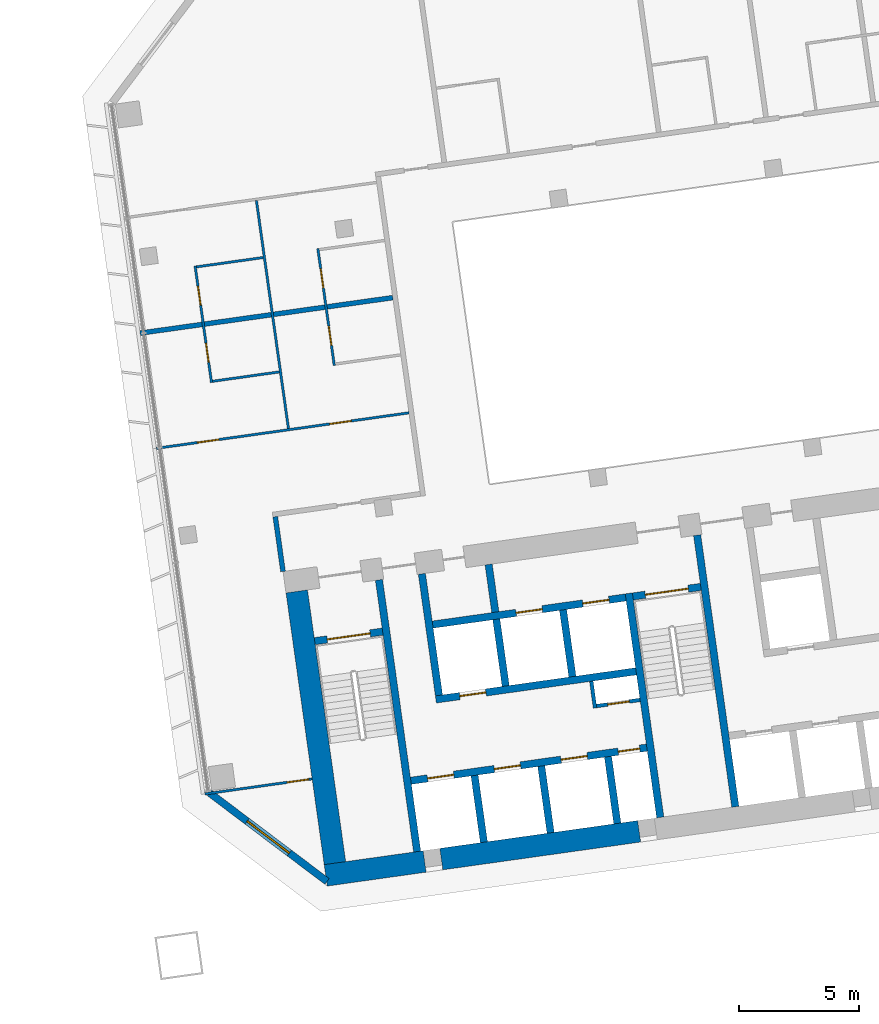
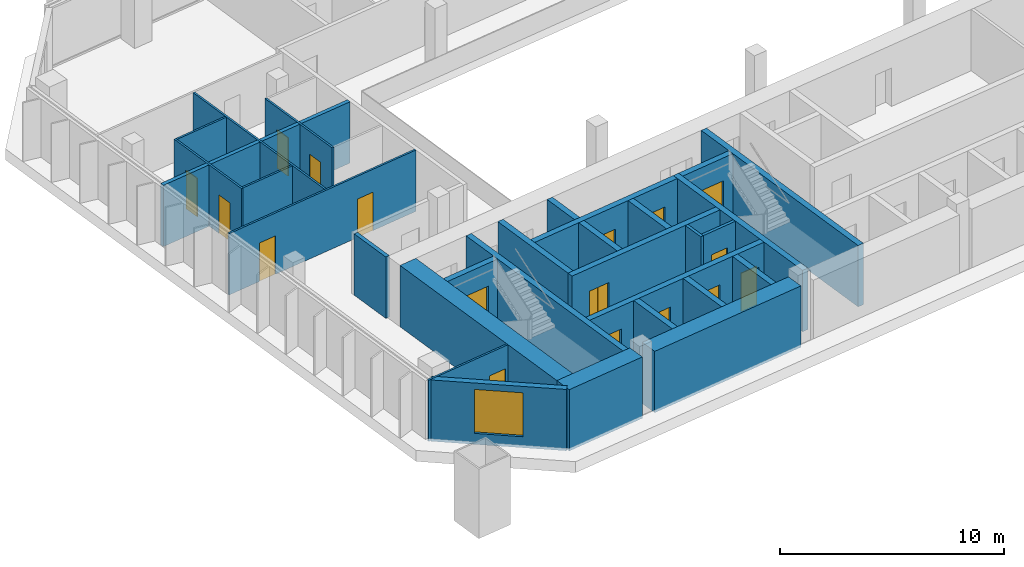
# One storey, part 18 of 24: 30 walls, 17 doors, 1 window, 18 openings.
"""IFC4 building model written with IfcOpenShell, lengths in metres."""

from ifc_helpers import new_model, si_unit, direction, frame, frame_2d, origin, place, context, subcontext, project, spatial, rectangle, extrude, material, layer, layer_set, type_object, element, fill, save


model = new_model("IFC4")

# Units and contexts
model_context = context("Model", 3, precision=1e-05, world=origin(), true_north=direction((0.0, 1.0)))
body_context = subcontext(model_context, "Body", "Model", "MODEL_VIEW")
ifc_project = project(units=[si_unit("LENGTHUNIT", "METRE"), si_unit("AREAUNIT", "SQUARE_METRE"), si_unit("VOLUMEUNIT", "CUBIC_METRE"), si_unit("PLANEANGLEUNIT", "RADIAN"), si_unit("MASSUNIT", "GRAM", prefix="KILO")], contexts=[model_context])

# Site, building, storey
site_placement = place(None, origin())
site = spatial("IfcSite", under=ifc_project, at=site_placement, CompositionType="ELEMENT")
building_placement = place(site_placement, origin())
building = spatial("IfcBuilding", under=site, at=building_placement, Name="Mirante Cascada Hotel Towers", CompositionType="ELEMENT")
storey_placement = place(building_placement, frame((0.0, 0.0, 50.9)))
storey = spatial("IfcBuildingStorey", under=building, at=storey_placement, Name="L09", CompositionType="ELEMENT", Elevation=50.9)

# Walls
ifc_material_1 = material(Name="Fire-rated plasterboard on metal studs")
ifc_layer_1 = layer(ifc_material_1, 0.2)
ifc_layer_set_1 = layer_set([ifc_layer_1], Name="Compartment wall 200 EI 120")
wall_type_1 = type_object("IfcWallType", Name="Compartment wall 200 EI 120", PredefinedType="PARTITIONING", material=ifc_layer_set_1)
wall_1_placement = place(storey_placement, frame((39.8242, 4.2615, 0.0), z_axis=(0.0, 0.0, 1.0), x_axis=(-0.9902686, -0.1391691, 0.0)))
element("IfcWall", 1, at=wall_1_placement, inside=storey, type_object=wall_type_1, Name="Wall 2-L09-11", PredefinedType="PARTITIONING", context=body_context, shape_type="SweptSolid", body=[
    extrude(rectangle(XDim=10.6001, YDim=0.2, at=frame_2d((5.3, 0.0))), origin(), (0.0, 0.0, 1.0), 3.35),
])
wall_2_placement = place(storey_placement, frame((34.9433, -4.8397, 0.0), z_axis=(0.0, 0.0, 1.0), x_axis=(0.1391749, -0.9902678, 0.0)))
element("IfcWall", 2, at=wall_2_placement, inside=storey, type_object=wall_type_1, Name="Wall 2-L09-29", PredefinedType="PARTITIONING", context=body_context, shape_type="SweptSolid", body=[
    extrude(rectangle(XDim=2.3, YDim=0.2, at=frame_2d((1.15, 0.0))), origin(), (0.0, 0.0, 1.0), 3.35),
])
ifc_material_2 = material(Name="Masonry block", Category="masonry")
ifc_layer_2 = layer(ifc_material_2, 0.15)
ifc_layer_set_2 = layer_set([ifc_layer_2], Name="Core room partition 150 block EI 30")
wall_type_2 = type_object("IfcWallType", Name="Core room partition 150 block EI 30", PredefinedType="PARTITIONING", material=ifc_layer_set_2)
wall_3_placement = place(storey_placement, frame((48.2295, -12.793, 0.0), z_axis=(0.0, 0.0, 1.0), x_axis=(-0.1391935, 0.9902652, 0.0)))
element("IfcWall", 3, at=wall_3_placement, inside=storey, type_object=wall_type_2, Name="Core wall partition T2 L09 2", PredefinedType="PARTITIONING", context=body_context, shape_type="SweptSolid", body=[
    extrude(rectangle(XDim=1.1251, YDim=0.15, at=frame_2d((0.5626, 0.0))), origin(), (0.0, 0.0, 1.0), 3.35),
])

# Wall, opening, door
wall_4_placement = place(storey_placement, frame((48.2933, -12.7083, 0.0), z_axis=(0.0, 0.0, 1.0), x_axis=(0.990268, 0.1391734, 0.0)))
wall_4 = element("IfcWall", 4, at=wall_4_placement, inside=storey, type_object=wall_type_2, Name="Core wall partition T2 L09 3", PredefinedType="PARTITIONING", context=body_context, shape_type="SweptSolid", body=[
    extrude(rectangle(XDim=1.8251, YDim=0.15, at=frame_2d((0.9126, 0.0))), origin(), (0.0, 0.0, 1.0), 3.35),
])
opening_1_placement = place(wall_4_placement, frame((0.4625, 0.0, 0.0)))
opening_1 = element("IfcOpeningElement", 5, at=opening_1_placement, cuts=wall_4, Name="Opening D2-09-C23", PredefinedType="OPENING", context=body_context, shape_type="SweptSolid", body=[
    extrude(rectangle(XDim=0.9, YDim=2.1, at=frame_2d((0.45, 1.05))), frame((0.0, 0.075, 0.0), z_axis=(0.0, -1.0, 0.0), x_axis=(1.0, 0.0, 0.0)), (0.0, 0.0, 1.0), 0.15),
])
ifc_material_3 = material(Name="Hollow metal fire door leaf")
door_type_1 = type_object("IfcDoorType", Name="Fire door 900x2100 FD60", OperationType="NOTDEFINED", PredefinedType="DOOR", material=ifc_material_3)
door_1_placement = place(opening_1_placement, frame((0.9, 0.0, 0.0), z_axis=(0.0, 0.0, 1.0), x_axis=(-1.0, 0.0, 0.0)))
door_1 = element("IfcDoor", 6, at=door_1_placement, inside=storey, type_object=door_type_1, Name="Riser door T2 L09 23", OperationType="SINGLE_SWING_RIGHT", OverallHeight=2.1, OverallWidth=0.9, PredefinedType="DOOR", context=body_context, shape_type="SweptSolid", body=[
    extrude(rectangle(XDim=0.9, YDim=2.1, at=frame_2d((0.45, 1.05))), frame((0.0, 0.025, 0.0), z_axis=(0.0, -1.0, 0.0), x_axis=(1.0, 0.0, 0.0)), (0.0, 0.0, 1.0), 0.05),
])
fill(opening_1, door_1)

# Wall
ifc_material_4 = material(Name="Masonry block", Category="masonry")
ifc_layer_3 = layer(ifc_material_4, 0.3)
ifc_layer_set_3 = layer_set([ifc_layer_3], Name="Core wall 300 block EI 120")
wall_type_3 = type_object("IfcWallType", Name="Core wall 300 block EI 120", PredefinedType="PARTITIONING", material=ifc_layer_set_3)
wall_5_placement = place(storey_placement, frame((44.0843, -8.8061, 0.0), z_axis=(0.0, 0.0, 1.0), x_axis=(-0.1391951, 0.990265, 0.0)))
element("IfcWall", 7, at=wall_5_placement, inside=storey, type_object=wall_type_3, Name="Core wall partition T2 L09 1", PredefinedType="PARTITIONING", context=body_context, shape_type="SweptSolid", body=[
    extrude(rectangle(XDim=2.0001, YDim=0.3, at=frame_2d((1.0001, 0.0))), origin(), (0.0, 0.0, 1.0), 3.35),
])

# Wall, opening, door
ifc_material_5 = material(Name="Plasterboard on metal studs")
ifc_layer_4 = layer(ifc_material_5, 0.1)
ifc_layer_set_4 = layer_set([ifc_layer_4], Name="Partition 100")
wall_type_4 = type_object("IfcWallType", Name="Partition 100", PredefinedType="PARTITIONING", material=ifc_layer_set_4)
wall_6_placement = place(storey_placement, frame((36.4742, -15.7326, 0.0), z_axis=(0.0, 0.0, 1.0), x_axis=(-0.9902674, -0.1391779, 0.0)))
wall_6 = element("IfcWall", 8, at=wall_6_placement, inside=storey, type_object=wall_type_4, Name="Wall 2-L09-01", PredefinedType="PARTITIONING", context=body_context, shape_type="SweptSolid", body=[
    extrude(rectangle(XDim=4.5, YDim=0.1, at=frame_2d((2.25, 0.0))), origin(), (0.0, 0.0, 1.0), 3.35),
])
opening_2_placement = place(wall_6_placement, frame((0.15, 0.0, 0.0)))
opening_2 = element("IfcOpeningElement", 9, at=opening_2_placement, cuts=wall_6, Name="Opening D2-L09-01", PredefinedType="OPENING", context=body_context, shape_type="SweptSolid", body=[
    extrude(rectangle(XDim=0.9, YDim=2.1, at=frame_2d((0.45, 1.05))), frame((0.0, 0.05, 0.0), z_axis=(0.0, -1.0, 0.0), x_axis=(1.0, 0.0, 0.0)), (0.0, 0.0, 1.0), 0.1),
])
ifc_material_6 = material(Name="Timber door leaf", Category="wood")
door_type_2 = type_object("IfcDoorType", Name="Room door DG3 900x2100", OperationType="SINGLE_SWING_LEFT", PredefinedType="DOOR", material=ifc_material_6)
door_2_placement = place(opening_2_placement, frame((0.9, 0.0, 0.0), z_axis=(0.0, 0.0, 1.0), x_axis=(-1.0, 0.0, 0.0)))
door_2 = element("IfcDoor", 10, at=door_2_placement, inside=storey, type_object=door_type_2, Name="Door D2-L09-01", OperationType="SINGLE_SWING_RIGHT", OverallHeight=2.1, OverallWidth=0.9, PredefinedType="DOOR", context=body_context, shape_type="SweptSolid", body=[
    extrude(rectangle(XDim=0.9, YDim=2.1, at=frame_2d((0.45, 1.05))), frame((0.0, 0.025, 0.0), z_axis=(0.0, -1.0, 0.0), x_axis=(1.0, 0.0, 0.0)), (0.0, 0.0, 1.0), 0.05),
])
fill(opening_2, door_2)

# Wall, openings, doors
wall_7_placement = place(storey_placement, frame((40.4968, -0.5248, 0.0), z_axis=(0.0, 0.0, 1.0), x_axis=(-0.9902684, -0.1391704, 0.0)))
wall_7 = element("IfcWall", 11, at=wall_7_placement, inside=storey, type_object=wall_type_4, Name="Wall 2-L09-07", PredefinedType="PARTITIONING", context=body_context, shape_type="SweptSolid", body=[
    extrude(rectangle(XDim=10.6, YDim=0.1, at=frame_2d((5.3, 0.0))), origin(), (0.0, 0.0, 1.0), 3.35),
])
opening_3_placement = place(wall_7_placement, frame((7.975, 0.0, 0.0)))
opening_3 = element("IfcOpeningElement", 12, at=opening_3_placement, cuts=wall_7, Name="Opening D2-L09-06", PredefinedType="OPENING", context=body_context, shape_type="SweptSolid", body=[
    extrude(rectangle(XDim=0.9, YDim=2.1, at=frame_2d((0.45, 1.05))), frame((0.0, 0.05, 0.0), z_axis=(0.0, -1.0, 0.0), x_axis=(1.0, 0.0, 0.0)), (0.0, 0.0, 1.0), 0.1),
])
opening_4_placement = place(wall_7_placement, frame((2.425, 0.0, 0.0)))
opening_4 = element("IfcOpeningElement", 13, at=opening_4_placement, cuts=wall_7, Name="Opening D2-L09-07", PredefinedType="OPENING", context=body_context, shape_type="SweptSolid", body=[
    extrude(rectangle(XDim=0.9, YDim=2.1, at=frame_2d((0.45, 1.05))), frame((0.0, 0.05, 0.0), z_axis=(0.0, -1.0, 0.0), x_axis=(1.0, 0.0, 0.0)), (0.0, 0.0, 1.0), 0.1),
])
door_3_placement = place(opening_3_placement, origin())
door_3 = element("IfcDoor", 14, at=door_3_placement, inside=storey, type_object=door_type_2, Name="Door D2-L09-06", OperationType="SINGLE_SWING_LEFT", OverallHeight=2.1, OverallWidth=0.9, PredefinedType="DOOR", context=body_context, shape_type="SweptSolid", body=[
    extrude(rectangle(XDim=0.9, YDim=2.1, at=frame_2d((0.45, 1.05))), frame((0.0, 0.025, 0.0), z_axis=(0.0, -1.0, 0.0), x_axis=(1.0, 0.0, 0.0)), (0.0, 0.0, 1.0), 0.05),
])
fill(opening_3, door_3)
door_4_placement = place(opening_4_placement, origin())
door_4 = element("IfcDoor", 15, at=door_4_placement, inside=storey, type_object=door_type_2, Name="Door D2-L09-07", OperationType="SINGLE_SWING_LEFT", OverallHeight=2.1, OverallWidth=0.9, PredefinedType="DOOR", context=body_context, shape_type="SweptSolid", body=[
    extrude(rectangle(XDim=0.9, YDim=2.1, at=frame_2d((0.45, 1.05))), frame((0.0, 0.025, 0.0), z_axis=(0.0, -1.0, 0.0), x_axis=(1.0, 0.0, 0.0)), (0.0, 0.0, 1.0), 0.05),
])
fill(opening_4, door_4)

# Walls
wall_8_placement = place(storey_placement, frame((35.1078, 1.1751, 0.0), z_axis=(0.0, 0.0, 1.0), x_axis=(-0.990267, -0.139181, 0.0)))
element("IfcWall", 16, at=wall_8_placement, inside=storey, type_object=wall_type_4, Name="Wall 2-L09-09", PredefinedType="PARTITIONING", context=body_context, shape_type="SweptSolid", body=[
    extrude(rectangle(XDim=2.8, YDim=0.1, at=frame_2d((1.4, 0.0))), origin(), (0.0, 0.0, 1.0), 3.35),
])
wall_9_placement = place(storey_placement, frame((34.4398, 5.9284, 0.0), z_axis=(0.0, 0.0, 1.0), x_axis=(-0.9902677, -0.139176, 0.0)))
element("IfcWall", 17, at=wall_9_placement, inside=storey, type_object=wall_type_4, Name="Wall 2-L09-13", PredefinedType="PARTITIONING", context=body_context, shape_type="SweptSolid", body=[
    extrude(rectangle(XDim=2.8001, YDim=0.1, at=frame_2d((1.4, 0.0))), origin(), (0.0, 0.0, 1.0), 3.35),
])

# Wall, openings, doors
wall_10_placement = place(storey_placement, frame((32.2925, 0.7289, 0.0), z_axis=(0.0, 0.0, 1.0), x_axis=(-0.1391638, 0.9902694, 0.0)))
wall_10 = element("IfcWall", 18, at=wall_10_placement, inside=storey, type_object=wall_type_4, Name="Wall 2-L09-28", PredefinedType="PARTITIONING", context=body_context, shape_type="SweptSolid", body=[
    extrude(rectangle(XDim=4.9, YDim=0.1, at=frame_2d((2.45, 0.0))), origin(), (0.0, 0.0, 1.0), 3.35),
])
opening_5_placement = place(wall_10_placement, frame((0.85, 0.0, 0.0)))
opening_5 = element("IfcOpeningElement", 19, at=opening_5_placement, cuts=wall_10, Name="Opening D2-L09-30", PredefinedType="OPENING", context=body_context, shape_type="SweptSolid", body=[
    extrude(rectangle(XDim=0.8, YDim=2.1, at=frame_2d((0.4, 1.05))), frame((0.0, 0.05, 0.0), z_axis=(0.0, -1.0, 0.0), x_axis=(1.0, 0.0, 0.0)), (0.0, 0.0, 1.0), 0.1),
])
opening_6_placement = place(wall_10_placement, frame((3.25, 0.0, 0.0)))
opening_6 = element("IfcOpeningElement", 20, at=opening_6_placement, cuts=wall_10, Name="Opening D2-L09-31", PredefinedType="OPENING", context=body_context, shape_type="SweptSolid", body=[
    extrude(rectangle(XDim=0.8, YDim=2.1, at=frame_2d((0.4, 1.05))), frame((0.0, 0.05, 0.0), z_axis=(0.0, -1.0, 0.0), x_axis=(1.0, 0.0, 0.0)), (0.0, 0.0, 1.0), 0.1),
])
ifc_material_7 = material(Name="Timber door leaf", Category="wood")
door_type_3 = type_object("IfcDoorType", Name="Bathroom door DG4 800x2100", OperationType="SINGLE_SWING_LEFT", PredefinedType="DOOR", material=ifc_material_7)
door_5_placement = place(opening_5_placement, frame((0.8, 0.0, 0.0), z_axis=(0.0, 0.0, 1.0), x_axis=(-1.0, 0.0, 0.0)))
door_5 = element("IfcDoor", 21, at=door_5_placement, inside=storey, type_object=door_type_3, Name="Door D2-L09-30", OperationType="SINGLE_SWING_RIGHT", OverallHeight=2.1, OverallWidth=0.8, PredefinedType="DOOR", context=body_context, shape_type="SweptSolid", body=[
    extrude(rectangle(XDim=0.8, YDim=2.1, at=frame_2d((0.4, 1.05))), frame((0.0, 0.025, 0.0), z_axis=(0.0, -1.0, 0.0), x_axis=(1.0, 0.0, 0.0)), (0.0, 0.0, 1.0), 0.05),
])
fill(opening_5, door_5)
door_6_placement = place(opening_6_placement, frame((0.8, 0.0, 0.0), z_axis=(0.0, 0.0, 1.0), x_axis=(-1.0, 0.0, 0.0)))
door_6 = element("IfcDoor", 22, at=door_6_placement, inside=storey, type_object=door_type_3, Name="Door D2-L09-31", OperationType="SINGLE_SWING_RIGHT", OverallHeight=2.1, OverallWidth=0.8, PredefinedType="DOOR", context=body_context, shape_type="SweptSolid", body=[
    extrude(rectangle(XDim=0.8, YDim=2.1, at=frame_2d((0.4, 1.05))), frame((0.0, 0.025, 0.0), z_axis=(0.0, -1.0, 0.0), x_axis=(1.0, 0.0, 0.0)), (0.0, 0.0, 1.0), 0.05),
])
fill(opening_6, door_6)

# Wall
wall_11_placement = place(storey_placement, frame((35.489, -1.1781, 0.0), z_axis=(0.0, 0.0, 1.0), x_axis=(-0.1391703, 0.9902685, 0.0)))
element("IfcWall", 23, at=wall_11_placement, inside=storey, type_object=wall_type_4, Name="Wall 2-L09-30", PredefinedType="PARTITIONING", context=body_context, shape_type="SweptSolid", body=[
    extrude(rectangle(XDim=9.5667, YDim=0.1, at=frame_2d((4.7834, 0.0))), origin(), (0.0, 0.0, 1.0), 3.35),
])

# Wall, openings, doors
wall_12_placement = place(storey_placement, frame((36.7105, 6.298, 0.0), z_axis=(0.0, 0.0, 1.0), x_axis=(0.1391638, -0.9902694, 0.0)))
wall_12 = element("IfcWall", 24, at=wall_12_placement, inside=storey, type_object=wall_type_4, Name="Wall 2-L09-31", PredefinedType="PARTITIONING", context=body_context, shape_type="SweptSolid", body=[
    extrude(rectangle(XDim=4.9, YDim=0.1, at=frame_2d((2.45, 0.0))), origin(), (0.0, 0.0, 1.0), 3.35),
])
opening_7_placement = place(wall_12_placement, frame((3.25, 0.0, 0.0)))
opening_7 = element("IfcOpeningElement", 25, at=opening_7_placement, cuts=wall_12, Name="Opening D2-L09-32", PredefinedType="OPENING", context=body_context, shape_type="SweptSolid", body=[
    extrude(rectangle(XDim=0.8, YDim=2.1, at=frame_2d((0.4, 1.05))), frame((0.0, 0.05, 0.0), z_axis=(0.0, -1.0, 0.0), x_axis=(1.0, 0.0, 0.0)), (0.0, 0.0, 1.0), 0.1),
])
opening_8_placement = place(wall_12_placement, frame((0.85, 0.0, 0.0)))
opening_8 = element("IfcOpeningElement", 26, at=opening_8_placement, cuts=wall_12, Name="Opening D2-L09-33", PredefinedType="OPENING", context=body_context, shape_type="SweptSolid", body=[
    extrude(rectangle(XDim=0.8, YDim=2.1, at=frame_2d((0.4, 1.05))), frame((0.0, 0.05, 0.0), z_axis=(0.0, -1.0, 0.0), x_axis=(1.0, 0.0, 0.0)), (0.0, 0.0, 1.0), 0.1),
])
door_7_placement = place(opening_7_placement, origin())
door_7 = element("IfcDoor", 27, at=door_7_placement, inside=storey, type_object=door_type_3, Name="Door D2-L09-32", OperationType="SINGLE_SWING_LEFT", OverallHeight=2.1, OverallWidth=0.8, PredefinedType="DOOR", context=body_context, shape_type="SweptSolid", body=[
    extrude(rectangle(XDim=0.8, YDim=2.1, at=frame_2d((0.4, 1.05))), frame((0.0, 0.025, 0.0), z_axis=(0.0, -1.0, 0.0), x_axis=(1.0, 0.0, 0.0)), (0.0, 0.0, 1.0), 0.05),
])
fill(opening_7, door_7)
door_8_placement = place(opening_8_placement, origin())
door_8 = element("IfcDoor", 28, at=door_8_placement, inside=storey, type_object=door_type_3, Name="Door D2-L09-33", OperationType="SINGLE_SWING_LEFT", OverallHeight=2.1, OverallWidth=0.8, PredefinedType="DOOR", context=body_context, shape_type="SweptSolid", body=[
    extrude(rectangle(XDim=0.8, YDim=2.1, at=frame_2d((0.4, 1.05))), frame((0.0, 0.025, 0.0), z_axis=(0.0, -1.0, 0.0), x_axis=(1.0, 0.0, 0.0)), (0.0, 0.0, 1.0), 0.05),
])
fill(opening_8, door_8)

# Wall, opening, window
ifc_material_8 = material(Name="Precast concrete C40/50", Category="concrete")
ifc_layer_5 = layer(ifc_material_8, 0.3)
ifc_layer_set_5 = layer_set([ifc_layer_5], Name="Precast concrete C40/50 cladding wall 300")
wall_type_5 = type_object("IfcWallType", Name="Precast concrete C40/50 cladding wall 300", PredefinedType="STANDARD", material=ifc_layer_set_5)
wall_13_placement = place(storey_placement, frame((32.2074, -16.3138, 0.0), z_axis=(0.0, 0.0, 1.0), x_axis=(0.7986362, -0.6018141, 0.0)))
wall_13 = element("IfcWall", 29, at=wall_13_placement, inside=storey, type_object=wall_type_5, Name="Corner cladding wall T2 L09 inner rear", PredefinedType="STANDARD", context=body_context, shape_type="SweptSolid", body=[
    extrude(rectangle(XDim=6.1157, YDim=0.3, at=frame_2d((3.0578, 0.0))), origin(), (0.0, 0.0, 1.0), 3.35),
])
opening_9_placement = place(wall_13_placement, frame((1.9578, 0.0, 0.6)))
opening_9 = element("IfcOpeningElement", 30, at=opening_9_placement, cuts=wall_13, Name="Opening W2-09-05", PredefinedType="OPENING", context=body_context, shape_type="SweptSolid", body=[
    extrude(rectangle(XDim=2.2, YDim=2.4, at=frame_2d((1.1, 1.2))), frame((0.0, 0.15, 0.0), z_axis=(0.0, -1.0, 0.0), x_axis=(1.0, 0.0, 0.0)), (0.0, 0.0, 1.0), 0.3),
])
ifc_material_9 = material(Name="Aluminium frame with clear double glazing", Category="aluminium")
window_type = type_object("IfcWindowType", Name="Corner suite window 2200x2400", PartitioningType="DOUBLE_PANEL_VERTICAL", PredefinedType="WINDOW", material=ifc_material_9)
window_placement = place(opening_9_placement, origin())
window = element("IfcWindow", 31, at=window_placement, inside=storey, type_object=window_type, Name="Window W2-09-05", OverallHeight=2.4, OverallWidth=2.2, PartitioningType="SINGLE_PANEL", PredefinedType="WINDOW", context=body_context, shape_type="SweptSolid", body=[
    extrude(rectangle(XDim=2.2, YDim=2.4, at=frame_2d((1.1, 1.2))), frame((0.0, 0.03, 0.0), z_axis=(0.0, -1.0, 0.0), x_axis=(1.0, 0.0, 0.0)), (0.0, 0.0, 1.0), 0.06),
])
fill(opening_9, window)

# Walls
ifc_material_10 = material(Name="Concrete C50/60", Category="concrete")
ifc_layer_6 = layer(ifc_material_10, 0.3)
ifc_layer_set_6 = layer_set([ifc_layer_6], Name="RC core wall 300 C50/60")
wall_type_6 = type_object("IfcWallType", Name="RC core wall 300 C50/60", PredefinedType="SHEAR", material=ifc_layer_set_6)
wall_14_placement = place(storey_placement, frame((40.8373, -18.7548, 0.0), z_axis=(0.0, 0.0, 1.0), x_axis=(-0.1391749, 0.9902678, 0.0)))
element("IfcWall", 32, at=wall_14_placement, inside=storey, type_object=wall_type_6, Name="Core wall T2:L09:5", PredefinedType="SHEAR", context=body_context, shape_type="SweptSolid", body=[
    extrude(rectangle(XDim=11.4, YDim=0.3, at=frame_2d((5.7, 0.0))), origin(), (0.0, 0.0, 1.0), 3.35),
])
wall_15_placement = place(storey_placement, frame((50.938, -17.3352, 0.0), z_axis=(0.0, 0.0, 1.0), x_axis=(-0.1391706, 0.9902684, 0.0)))
element("IfcWall", 33, at=wall_15_placement, inside=storey, type_object=wall_type_6, Name="Core wall T2:L09:6", PredefinedType="SHEAR", context=body_context, shape_type="SweptSolid", body=[
    extrude(rectangle(XDim=9.4, YDim=0.3, at=frame_2d((4.7, 0.0))), origin(), (0.0, 0.0, 1.0), 3.35),
])
wall_16_placement = place(storey_placement, frame((54.0574, -16.8968, 0.0), z_axis=(0.0, 0.0, 1.0), x_axis=(-0.1391761, 0.9902677, 0.0)))
element("IfcWall", 34, at=wall_16_placement, inside=storey, type_object=wall_type_6, Name="Core wall T2:L09:7", PredefinedType="SHEAR", context=body_context, shape_type="SweptSolid", body=[
    extrude(rectangle(XDim=11.3999, YDim=0.3, at=frame_2d((5.7, 0.0))), origin(), (0.0, 0.0, 1.0), 3.35),
])

# Wall, opening, door
wall_17_placement = place(storey_placement, frame((36.5791, -10.0123, 0.0), z_axis=(0.0, 0.0, 1.0), x_axis=(0.9902704, 0.1391564, 0.0)))
wall_17 = element("IfcWall", 35, at=wall_17_placement, inside=storey, type_object=wall_type_6, Name="Core wall T2:L09:9", PredefinedType="SHEAR", context=body_context, shape_type="SweptSolid", body=[
    extrude(rectangle(XDim=2.85, YDim=0.3, at=frame_2d((1.425, 0.0))), origin(), (0.0, 0.0, 1.0), 3.35),
])
opening_10_placement = place(wall_17_placement, frame((0.525, 0.0, 0.0)))
opening_10 = element("IfcOpeningElement", 36, at=opening_10_placement, cuts=wall_17, Name="Opening D2-09-C13", PredefinedType="OPENING", context=body_context, shape_type="SweptSolid", body=[
    extrude(rectangle(XDim=1.8, YDim=2.1, at=frame_2d((0.9, 1.05))), frame((0.0, 0.15, 0.0), z_axis=(0.0, -1.0, 0.0), x_axis=(1.0, 0.0, 0.0)), (0.0, 0.0, 1.0), 0.3),
])
ifc_material_11 = material(Name="Hollow metal fire door leaf")
door_type_4 = type_object("IfcDoorType", Name="Double fire door 1800x2100 FD60", OperationType="DOUBLE_DOOR_SINGLE_SWING", PredefinedType="DOOR", material=ifc_material_11)
door_9_placement = place(opening_10_placement, frame((1.8, 0.0, 0.0), z_axis=(0.0, 0.0, 1.0), x_axis=(-1.0, 0.0, 0.0)))
door_9 = element("IfcDoor", 37, at=door_9_placement, inside=storey, type_object=door_type_4, Name="Stair door T2 L09 13", OperationType="DOUBLE_DOOR_SINGLE_SWING", OverallHeight=2.1, OverallWidth=1.8, PredefinedType="DOOR", context=body_context, shape_type="SweptSolid", body=[
    extrude(rectangle(XDim=0.895, YDim=2.1, at=frame_2d((0.4475, 1.05))), frame((0.0, 0.025, 0.0), z_axis=(0.0, -1.0, 0.0), x_axis=(1.0, 0.0, 0.0)), (0.0, 0.0, 1.0), 0.05),
    extrude(rectangle(XDim=0.895, YDim=2.1, at=frame_2d((1.3525, 1.05))), frame((0.0, 0.025, 0.0), z_axis=(0.0, -1.0, 0.0), x_axis=(1.0, 0.0, 0.0)), (0.0, 0.0, 1.0), 0.05),
])
fill(opening_10, door_9)

wall_18_placement = place(storey_placement, frame((49.7992, -8.1544, 0.0), z_axis=(0.0, 0.0, 1.0), x_axis=(0.9902656, 0.1391909, 0.0)))
wall_18 = element("IfcWall", 38, at=wall_18_placement, inside=storey, type_object=wall_type_6, Name="Core wall T2:L09:10", PredefinedType="SHEAR", context=body_context, shape_type="SweptSolid", body=[
    extrude(rectangle(XDim=2.85, YDim=0.3, at=frame_2d((1.425, 0.0))), origin(), (0.0, 0.0, 1.0), 3.35),
])
opening_11_placement = place(wall_18_placement, frame((0.525, 0.0, 0.0)))
opening_11 = element("IfcOpeningElement", 39, at=opening_11_placement, cuts=wall_18, Name="Opening D2-09-C15", PredefinedType="OPENING", context=body_context, shape_type="SweptSolid", body=[
    extrude(rectangle(XDim=1.8, YDim=2.1, at=frame_2d((0.9, 1.05))), frame((0.0, 0.15, 0.0), z_axis=(0.0, -1.0, 0.0), x_axis=(1.0, 0.0, 0.0)), (0.0, 0.0, 1.0), 0.3),
])
door_10_placement = place(opening_11_placement, frame((1.8, 0.0, 0.0), z_axis=(0.0, 0.0, 1.0), x_axis=(-1.0, 0.0, 0.0)))
door_10 = element("IfcDoor", 40, at=door_10_placement, inside=storey, type_object=door_type_4, Name="Stair door T2 L09 15", OperationType="DOUBLE_DOOR_SINGLE_SWING", OverallHeight=2.1, OverallWidth=1.8, PredefinedType="DOOR", context=body_context, shape_type="SweptSolid", body=[
    extrude(rectangle(XDim=0.895, YDim=2.1, at=frame_2d((0.4475, 1.05))), frame((0.0, 0.025, 0.0), z_axis=(0.0, -1.0, 0.0), x_axis=(1.0, 0.0, 0.0)), (0.0, 0.0, 1.0), 0.05),
    extrude(rectangle(XDim=0.895, YDim=2.1, at=frame_2d((1.3525, 1.05))), frame((0.0, 0.025, 0.0), z_axis=(0.0, -1.0, 0.0), x_axis=(1.0, 0.0, 0.0)), (0.0, 0.0, 1.0), 0.05),
])
fill(opening_11, door_10)

# Wall, openings, doors
wall_19_placement = place(storey_placement, frame((40.5753, -15.8126, 0.0), z_axis=(0.0, 0.0, 1.0), x_axis=(0.9902682, 0.1391725, 0.0)))
wall_19 = element("IfcWall", 41, at=wall_19_placement, inside=storey, type_object=wall_type_6, Name="Core wall T2:L09:12", PredefinedType="SHEAR", context=body_context, shape_type="SweptSolid", body=[
    extrude(rectangle(XDim=9.8999, YDim=0.3, at=frame_2d((4.95, 0.0))), origin(), (0.0, 0.0, 1.0), 3.35),
])
opening_12_placement = place(wall_19_placement, frame((0.7, 0.0, 0.0)))
opening_12 = element("IfcOpeningElement", 42, at=opening_12_placement, cuts=wall_19, Name="Opening LD", PredefinedType="OPENING", context=body_context, shape_type="SweptSolid", body=[
    extrude(rectangle(XDim=1.1, YDim=2.1, at=frame_2d((0.55, 1.05))), frame((0.0, 0.15, 0.0), z_axis=(0.0, -1.0, 0.0), x_axis=(1.0, 0.0, 0.0)), (0.0, 0.0, 1.0), 0.3),
])
opening_13_placement = place(wall_19_placement, frame((3.5, 0.0, 0.0)))
opening_13 = element("IfcOpeningElement", 43, at=opening_13_placement, cuts=wall_19, Name="Opening LD", PredefinedType="OPENING", context=body_context, shape_type="SweptSolid", body=[
    extrude(rectangle(XDim=1.1, YDim=2.1, at=frame_2d((0.55, 1.05))), frame((0.0, 0.15, 0.0), z_axis=(0.0, -1.0, 0.0), x_axis=(1.0, 0.0, 0.0)), (0.0, 0.0, 1.0), 0.3),
])
opening_14_placement = place(wall_19_placement, frame((6.3, 0.0, 0.0)))
opening_14 = element("IfcOpeningElement", 44, at=opening_14_placement, cuts=wall_19, Name="Opening LD", PredefinedType="OPENING", context=body_context, shape_type="SweptSolid", body=[
    extrude(rectangle(XDim=1.1, YDim=2.1, at=frame_2d((0.55, 1.05))), frame((0.0, 0.15, 0.0), z_axis=(0.0, -1.0, 0.0), x_axis=(1.0, 0.0, 0.0)), (0.0, 0.0, 1.0), 0.3),
])
opening_15_placement = place(wall_19_placement, frame((8.7, 0.0, 0.0)))
opening_15 = element("IfcOpeningElement", 45, at=opening_15_placement, cuts=wall_19, Name="Opening D2-09-C22", PredefinedType="OPENING", context=body_context, shape_type="SweptSolid", body=[
    extrude(rectangle(XDim=0.9, YDim=2.1, at=frame_2d((0.45, 1.05))), frame((0.0, 0.15, 0.0), z_axis=(0.0, -1.0, 0.0), x_axis=(1.0, 0.0, 0.0)), (0.0, 0.0, 1.0), 0.3),
])
door_11_placement = place(opening_15_placement, frame((0.9, 0.0, 0.0), z_axis=(0.0, 0.0, 1.0), x_axis=(-1.0, 0.0, 0.0)))
door_11 = element("IfcDoor", 46, at=door_11_placement, inside=storey, type_object=door_type_1, Name="Riser door T2 L09 22", OperationType="SINGLE_SWING_RIGHT", OverallHeight=2.1, OverallWidth=0.9, PredefinedType="DOOR", context=body_context, shape_type="SweptSolid", body=[
    extrude(rectangle(XDim=0.9, YDim=2.1, at=frame_2d((0.45, 1.05))), frame((0.0, 0.025, 0.0), z_axis=(0.0, -1.0, 0.0), x_axis=(1.0, 0.0, 0.0)), (0.0, 0.0, 1.0), 0.05),
])
fill(opening_15, door_11)
ifc_material_12 = material(Name="Stainless steel", Category="steel")
door_type_5 = type_object("IfcDoorType", Name="Lift landing door 1100x2100 EI 120", OperationType="DOUBLE_DOOR_SLIDING", PredefinedType="DOOR", material=ifc_material_12)
door_12_placement = place(opening_12_placement, origin())
door_12 = element("IfcDoor", 47, at=door_12_placement, inside=storey, type_object=door_type_5, Name="Lift landing door HR2-1 L09", OperationType="DOUBLE_DOOR_SLIDING", OverallHeight=2.1, OverallWidth=1.1, PredefinedType="DOOR", context=body_context, shape_type="SweptSolid", body=[
    extrude(rectangle(XDim=0.545, YDim=2.1, at=frame_2d((0.2725, 1.05))), frame((0.0, 0.025, 0.0), z_axis=(0.0, -1.0, 0.0), x_axis=(1.0, 0.0, 0.0)), (0.0, 0.0, 1.0), 0.05),
    extrude(rectangle(XDim=0.545, YDim=2.1, at=frame_2d((0.8275, 1.05))), frame((0.0, 0.025, 0.0), z_axis=(0.0, -1.0, 0.0), x_axis=(1.0, 0.0, 0.0)), (0.0, 0.0, 1.0), 0.05),
])
fill(opening_12, door_12)
door_13_placement = place(opening_13_placement, origin())
door_13 = element("IfcDoor", 48, at=door_13_placement, inside=storey, type_object=door_type_5, Name="Lift landing door HR2-2 L09", OperationType="DOUBLE_DOOR_SLIDING", OverallHeight=2.1, OverallWidth=1.1, PredefinedType="DOOR", context=body_context, shape_type="SweptSolid", body=[
    extrude(rectangle(XDim=0.545, YDim=2.1, at=frame_2d((0.2725, 1.05))), frame((0.0, 0.025, 0.0), z_axis=(0.0, -1.0, 0.0), x_axis=(1.0, 0.0, 0.0)), (0.0, 0.0, 1.0), 0.05),
    extrude(rectangle(XDim=0.545, YDim=2.1, at=frame_2d((0.8275, 1.05))), frame((0.0, 0.025, 0.0), z_axis=(0.0, -1.0, 0.0), x_axis=(1.0, 0.0, 0.0)), (0.0, 0.0, 1.0), 0.05),
])
fill(opening_13, door_13)
door_14_placement = place(opening_14_placement, origin())
door_14 = element("IfcDoor", 49, at=door_14_placement, inside=storey, type_object=door_type_5, Name="Lift landing door HR2-3 L09", OperationType="DOUBLE_DOOR_SLIDING", OverallHeight=2.1, OverallWidth=1.1, PredefinedType="DOOR", context=body_context, shape_type="SweptSolid", body=[
    extrude(rectangle(XDim=0.545, YDim=2.1, at=frame_2d((0.2725, 1.05))), frame((0.0, 0.025, 0.0), z_axis=(0.0, -1.0, 0.0), x_axis=(1.0, 0.0, 0.0)), (0.0, 0.0, 1.0), 0.05),
    extrude(rectangle(XDim=0.545, YDim=2.1, at=frame_2d((0.8275, 1.05))), frame((0.0, 0.025, 0.0), z_axis=(0.0, -1.0, 0.0), x_axis=(1.0, 0.0, 0.0)), (0.0, 0.0, 1.0), 0.05),
])
fill(opening_14, door_14)

# Wall, opening, door
wall_20_placement = place(storey_placement, frame((41.6153, -12.435, 0.0), z_axis=(0.0, 0.0, 1.0), x_axis=(0.9902691, 0.139166, 0.0)))
wall_20 = element("IfcWall", 50, at=wall_20_placement, inside=storey, type_object=wall_type_6, Name="Core wall T2:L09:13", PredefinedType="SHEAR", context=body_context, shape_type="SweptSolid", body=[
    extrude(rectangle(XDim=8.4, YDim=0.3, at=frame_2d((4.2, 0.0))), origin(), (0.0, 0.0, 1.0), 3.35),
])
opening_16_placement = place(wall_20_placement, frame((1.0, 0.0, 0.0)))
opening_16 = element("IfcOpeningElement", 51, at=opening_16_placement, cuts=wall_20, Name="Opening LD", PredefinedType="OPENING", context=body_context, shape_type="SweptSolid", body=[
    extrude(rectangle(XDim=1.1, YDim=2.1, at=frame_2d((0.55, 1.05))), frame((0.0, 0.15, 0.0), z_axis=(0.0, -1.0, 0.0), x_axis=(1.0, 0.0, 0.0)), (0.0, 0.0, 1.0), 0.3),
])
door_15_placement = place(opening_16_placement, origin())
door_15 = element("IfcDoor", 52, at=door_15_placement, inside=storey, type_object=door_type_5, Name="Lift landing door HR2-4 L09", OperationType="DOUBLE_DOOR_SLIDING", OverallHeight=2.1, OverallWidth=1.1, PredefinedType="DOOR", context=body_context, shape_type="SweptSolid", body=[
    extrude(rectangle(XDim=0.545, YDim=2.1, at=frame_2d((0.2725, 1.05))), frame((0.0, 0.025, 0.0), z_axis=(0.0, -1.0, 0.0), x_axis=(1.0, 0.0, 0.0)), (0.0, 0.0, 1.0), 0.05),
    extrude(rectangle(XDim=0.545, YDim=2.1, at=frame_2d((0.8275, 1.05))), frame((0.0, 0.025, 0.0), z_axis=(0.0, -1.0, 0.0), x_axis=(1.0, 0.0, 0.0)), (0.0, 0.0, 1.0), 0.05),
])
fill(opening_16, door_15)

# Wall, openings, doors
wall_21_placement = place(storey_placement, frame((41.481, -9.3234, 0.0), z_axis=(0.0, 0.0, 1.0), x_axis=(0.9902679, 0.1391741, 0.0)))
wall_21 = element("IfcWall", 53, at=wall_21_placement, inside=storey, type_object=wall_type_6, Name="Core wall T2:L09:14", PredefinedType="SHEAR", context=body_context, shape_type="SweptSolid", body=[
    extrude(rectangle(XDim=8.0999, YDim=0.3, at=frame_2d((4.05, 0.0))), origin(), (0.0, 0.0, 1.0), 3.35),
])
opening_17_placement = place(wall_21_placement, frame((3.5, 0.0, 0.0)))
opening_17 = element("IfcOpeningElement", 54, at=opening_17_placement, cuts=wall_21, Name="Opening LD", PredefinedType="OPENING", context=body_context, shape_type="SweptSolid", body=[
    extrude(rectangle(XDim=1.1, YDim=2.1, at=frame_2d((0.55, 1.05))), frame((0.0, 0.15, 0.0), z_axis=(0.0, -1.0, 0.0), x_axis=(1.0, 0.0, 0.0)), (0.0, 0.0, 1.0), 0.3),
])
opening_18_placement = place(wall_21_placement, frame((6.3, 0.0, 0.0)))
opening_18 = element("IfcOpeningElement", 55, at=opening_18_placement, cuts=wall_21, Name="Opening LD", PredefinedType="OPENING", context=body_context, shape_type="SweptSolid", body=[
    extrude(rectangle(XDim=1.1, YDim=2.1, at=frame_2d((0.55, 1.05))), frame((0.0, 0.15, 0.0), z_axis=(0.0, -1.0, 0.0), x_axis=(1.0, 0.0, 0.0)), (0.0, 0.0, 1.0), 0.3),
])
door_16_placement = place(opening_17_placement, origin())
door_16 = element("IfcDoor", 56, at=door_16_placement, inside=storey, type_object=door_type_5, Name="Lift landing door FF3 L09", OperationType="DOUBLE_DOOR_SLIDING", OverallHeight=2.1, OverallWidth=1.1, PredefinedType="DOOR", context=body_context, shape_type="SweptSolid", body=[
    extrude(rectangle(XDim=0.545, YDim=2.1, at=frame_2d((0.2725, 1.05))), frame((0.0, 0.025, 0.0), z_axis=(0.0, -1.0, 0.0), x_axis=(1.0, 0.0, 0.0)), (0.0, 0.0, 1.0), 0.05),
    extrude(rectangle(XDim=0.545, YDim=2.1, at=frame_2d((0.8275, 1.05))), frame((0.0, 0.025, 0.0), z_axis=(0.0, -1.0, 0.0), x_axis=(1.0, 0.0, 0.0)), (0.0, 0.0, 1.0), 0.05),
])
fill(opening_17, door_16)
door_17_placement = place(opening_18_placement, origin())
door_17 = element("IfcDoor", 57, at=door_17_placement, inside=storey, type_object=door_type_5, Name="Lift landing door FF4 L09", OperationType="DOUBLE_DOOR_SLIDING", OverallHeight=2.1, OverallWidth=1.1, PredefinedType="DOOR", context=body_context, shape_type="SweptSolid", body=[
    extrude(rectangle(XDim=0.545, YDim=2.1, at=frame_2d((0.2725, 1.05))), frame((0.0, 0.025, 0.0), z_axis=(0.0, -1.0, 0.0), x_axis=(1.0, 0.0, 0.0)), (0.0, 0.0, 1.0), 0.05),
    extrude(rectangle(XDim=0.545, YDim=2.1, at=frame_2d((0.8275, 1.05))), frame((0.0, 0.025, 0.0), z_axis=(0.0, -1.0, 0.0), x_axis=(1.0, 0.0, 0.0)), (0.0, 0.0, 1.0), 0.05),
])
fill(opening_18, door_17)

# Walls
wall_22_placement = place(storey_placement, frame((43.61, -18.3651, 0.0), z_axis=(0.0, 0.0, 1.0), x_axis=(-0.1391459, 0.9902719, 0.0)))
element("IfcWall", 58, at=wall_22_placement, inside=storey, type_object=wall_type_6, Name="Core wall T2:L09:15", PredefinedType="SHEAR", context=body_context, shape_type="SweptSolid", body=[
    extrude(rectangle(XDim=2.7999, YDim=0.3, at=frame_2d((1.4, 0.0))), origin(), (0.0, 0.0, 1.0), 3.35),
])
wall_23_placement = place(storey_placement, frame((46.3828, -17.9754, 0.0), z_axis=(0.0, 0.0, 1.0), x_axis=(-0.139181, 0.990267, 0.0)))
element("IfcWall", 59, at=wall_23_placement, inside=storey, type_object=wall_type_6, Name="Core wall T2:L09:16", PredefinedType="SHEAR", context=body_context, shape_type="SweptSolid", body=[
    extrude(rectangle(XDim=2.8, YDim=0.3, at=frame_2d((1.4, 0.0))), origin(), (0.0, 0.0, 1.0), 3.35),
])
wall_24_placement = place(storey_placement, frame((49.1555, -17.5857, 0.0), z_axis=(0.0, 0.0, 1.0), x_axis=(-0.1391459, 0.9902719, 0.0)))
element("IfcWall", 60, at=wall_24_placement, inside=storey, type_object=wall_type_6, Name="Core wall T2:L09:17", PredefinedType="SHEAR", context=body_context, shape_type="SweptSolid", body=[
    extrude(rectangle(XDim=2.7999, YDim=0.3, at=frame_2d((1.4, 0.0))), origin(), (0.0, 0.0, 1.0), 3.35),
])
for number, where, z_axis, x_axis, name in (
    (61, (44.5157, -11.8759, 0.0), (0.0, 0.0, 1.0), (-0.139181, 0.990267, 0.0), "Core wall T2:L09:18"),
    (62, (47.2885, -11.4862, 0.0), (0.0, 0.0, 1.0), (-0.139181, 0.990267, 0.0), "Core wall T2:L09:19"),
):
    element("IfcWall", number, at=place(storey_placement, frame(where, z_axis=z_axis, x_axis=x_axis)), inside=storey, type_object=wall_type_6, Name=name, PredefinedType="SHEAR", context=body_context, shape_type="SweptSolid", body=[
        extrude(rectangle(XDim=2.8, YDim=0.3, at=frame_2d((1.4, 0.0))), origin(), (0.0, 0.0, 1.0), 3.35),
    ])
wall_25_placement = place(storey_placement, frame((41.743, -12.2656, 0.0), z_axis=(0.0, 0.0, 1.0), x_axis=(-0.1391755, 0.9902677, 0.0)))
element("IfcWall", 63, at=wall_25_placement, inside=storey, type_object=wall_type_6, Name="Core wall T2:L09:20", PredefinedType="SHEAR", context=body_context, shape_type="SweptSolid", body=[
    extrude(rectangle(XDim=5.1, YDim=0.3, at=frame_2d((2.55, 0.0))), origin(), (0.0, 0.0, 1.0), 3.35),
])
ifc_material_13 = material(Name="Concrete C50/60", Category="concrete")
ifc_layer_7 = layer(ifc_material_13, 0.9)
ifc_layer_set_7 = layer_set([ifc_layer_7], Name="RC core wall 900 C50/60")
wall_type_7 = type_object("IfcWallType", Name="RC core wall 900 C50/60", PredefinedType="SHEAR", material=ifc_layer_set_7)
wall_26_placement = place(storey_placement, frame((37.0379, -19.7432, 0.0), z_axis=(0.0, 0.0, 1.0), x_axis=(0.990267, 0.139181, 0.0)))
element("IfcWall", 64, at=wall_26_placement, inside=storey, type_object=wall_type_7, Name="Core wall T2:L09:1.1", PredefinedType="SHEAR", context=body_context, shape_type="SweptSolid", body=[
    extrude(rectangle(XDim=4.15, YDim=0.9, at=frame_2d((2.075, 0.0))), origin(), (0.0, 0.0, 1.0), 3.35),
])
wall_27_placement = place(storey_placement, frame((41.8407, -19.0682, 0.0), z_axis=(0.0, 0.0, 1.0), x_axis=(0.9902686, 0.1391692, 0.0)))
element("IfcWall", 65, at=wall_27_placement, inside=storey, type_object=wall_type_7, Name="Core wall T2:L09:1.2", PredefinedType="SHEAR", context=body_context, shape_type="SweptSolid", body=[
    extrude(rectangle(XDim=8.3, YDim=0.9, at=frame_2d((4.15, 0.0))), origin(), (0.0, 0.0, 1.0), 3.35),
])
wall_28_placement = place(storey_placement, frame((37.4209, -19.2349, 0.0), z_axis=(0.0, 0.0, 1.0), x_axis=(-0.1391761, 0.9902677, 0.0)))
element("IfcWall", 66, at=wall_28_placement, inside=storey, type_object=wall_type_7, Name="Core wall T2:L09:3", PredefinedType="SHEAR", context=body_context, shape_type="SweptSolid", body=[
    extrude(rectangle(XDim=11.3999, YDim=0.9, at=frame_2d((5.7, 0.0))), origin(), (0.0, 0.0, 1.0), 3.35),
])

save(model, "model.ifc")
